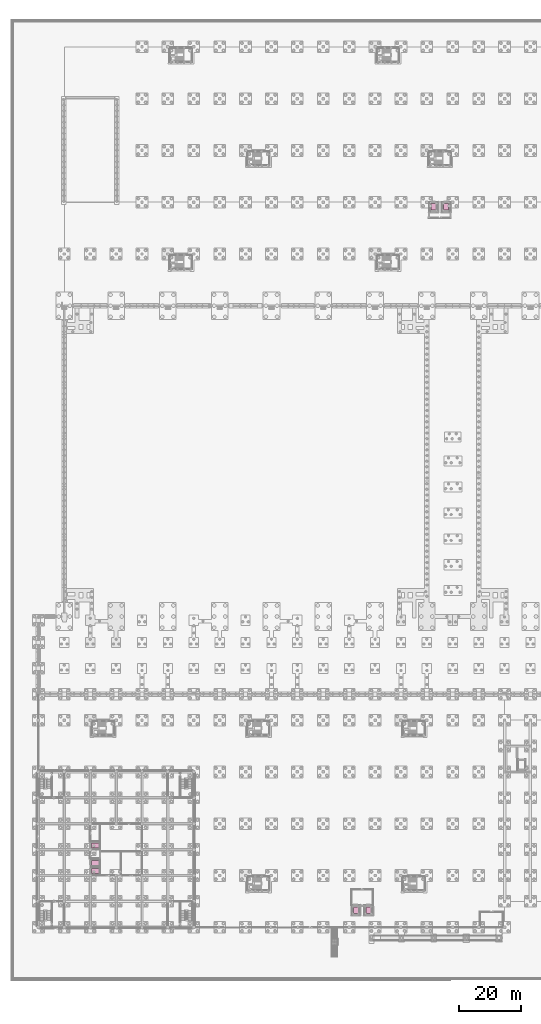
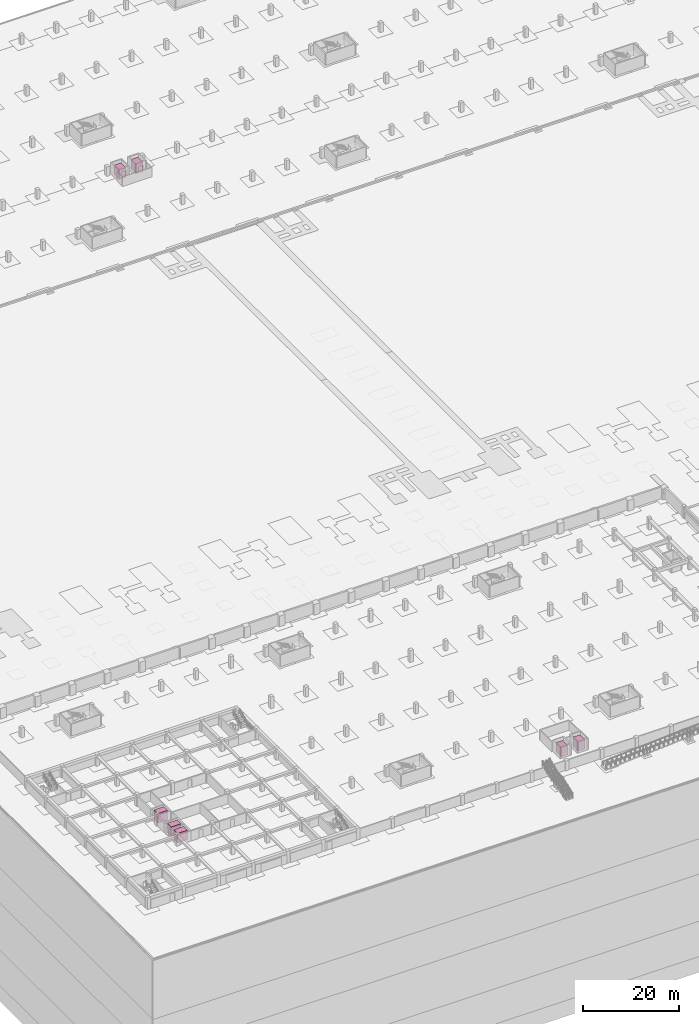
# One storey, part 67 of 67: 7 transport elements.
"""IFC4 building model written with IfcOpenShell, lengths in metres."""

from ifc_helpers import new_model, si_unit, direction, frame, origin, origin_2d, place, context, subcontext, project, spatial, rectangle, extrude, material, type_object, element, save


model = new_model("IFC4")

# Units and contexts
model_context = context("Model", 3, precision=1e-05, world=origin(), true_north=direction((0.0, 1.0)))
body_context = subcontext(model_context, "Body", "Model", "MODEL_VIEW")
ifc_project = project(units=[si_unit("LENGTHUNIT", "METRE"), si_unit("AREAUNIT", "SQUARE_METRE"), si_unit("VOLUMEUNIT", "CUBIC_METRE"), si_unit("PLANEANGLEUNIT", "RADIAN"), si_unit("MASSUNIT", "GRAM", prefix="KILO")], contexts=[model_context])

# Site, building, storey
site_placement = place(None, origin())
site = spatial("IfcSite", under=ifc_project, at=site_placement, CompositionType="ELEMENT")
building_placement = place(site_placement, origin())
building = spatial("IfcBuilding", under=site, at=building_placement, Name="Rain Tree Exposition and Congress Centre", CompositionType="ELEMENT")
storey_placement = place(building_placement, frame((0.0, 0.0, -3.0)))
storey = spatial("IfcBuildingStorey", under=building, at=storey_placement, Name="B1", CompositionType="ELEMENT", Elevation=-3.0)

# Transport elements
ifc_material_1 = material(Name="Passenger lift 1600x2100 car")
transport_element_type_1 = type_object("IfcTransportElementType", Name="Passenger lift 1600x2100 car", PredefinedType="ELEVATOR", material=ifc_material_1)
for number, where, z_axis, x_axis, name in (
    (1, (102.949951171875, 5.550048828125, 0.0), (0.0, 0.0, 1.0), (1.0, 0.0, 0.0), "LIFT S1"),
    (2, (107.050048828125, 5.550048828125, 0.0), (0.0, 0.0, 1.0), (1.0, 0.0, 0.0), "LIFT S2"),
    (3, (128.14990234375, 233.64990234375, 0.0), (0.0, 0.0, 1.0), (1.0, 0.0, 0.0), "LIFT N1"),
    (4, (132.25, 233.64990234375, 0.0), (0.0, 0.0, 1.0), (1.0, 0.0, 0.0), "LIFT N2"),
):
    element("IfcTransportElement", number, at=place(storey_placement, frame(where, z_axis=z_axis, x_axis=x_axis)), inside=storey, type_object=transport_element_type_1, Name=name, PredefinedType="ELEVATOR", context=body_context, shape_type="SweptSolid", body=[
        extrude(rectangle(XDim=1.60009765625, YDim=2.10009765625, at=origin_2d()), origin(), (0.0, 0.0, 1.0), 2.39990234375),
    ])
ifc_material_2 = material(Name="Stainless steel", Category="steel")
transport_element_type_2 = type_object("IfcTransportElementType", Name="Wing passenger lift car 1600x2400", PredefinedType="ELEVATOR", material=ifc_material_2)
for number, where, z_axis, x_axis, name in (
    (5, (18.39990234375, 18.199951171875, 0.050048828125), (0.0, 0.0, 1.0), (1.0, 0.0, 0.0), "Passenger lift LWA1"),
    (6, (18.39990234375, 20.89990234375, 0.050048828125), (0.0, 0.0, 1.0), (1.0, 0.0, 0.0), "Passenger lift LWB1"),
    (7, (18.39990234375, 26.5, 0.050048828125), (0.0, 0.0, 1.0), (1.0, 0.0, 0.0), "Fire-fighting lift FLW1"),
):
    element("IfcTransportElement", number, at=place(storey_placement, frame(where, z_axis=z_axis, x_axis=x_axis)), inside=storey, type_object=transport_element_type_2, Name=name, PredefinedType="ELEVATOR", context=body_context, shape_type="SweptSolid", body=[
        extrude(rectangle(XDim=2.39990234375, YDim=1.60009765625, at=origin_2d()), origin(), (0.0, 0.0, 1.0), 2.39990234375),
    ])

save(model, "model.ifc")
